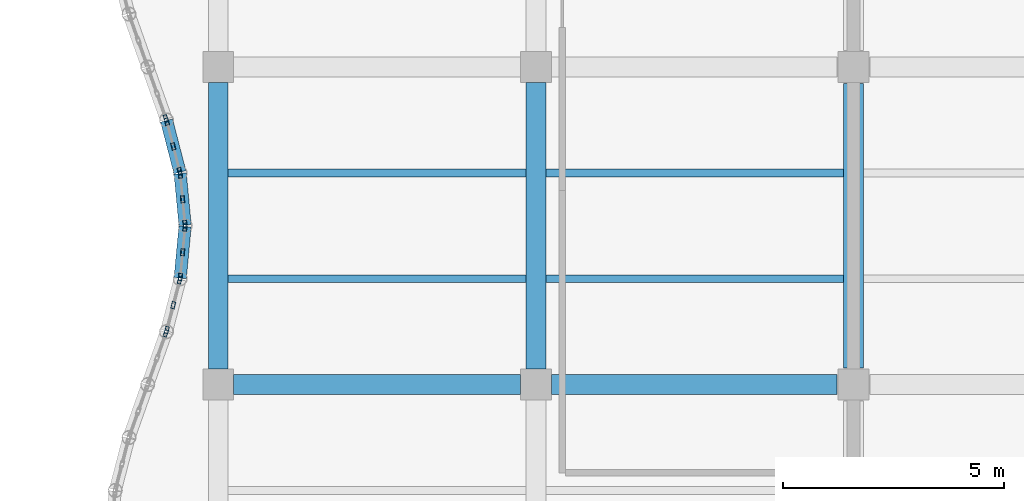
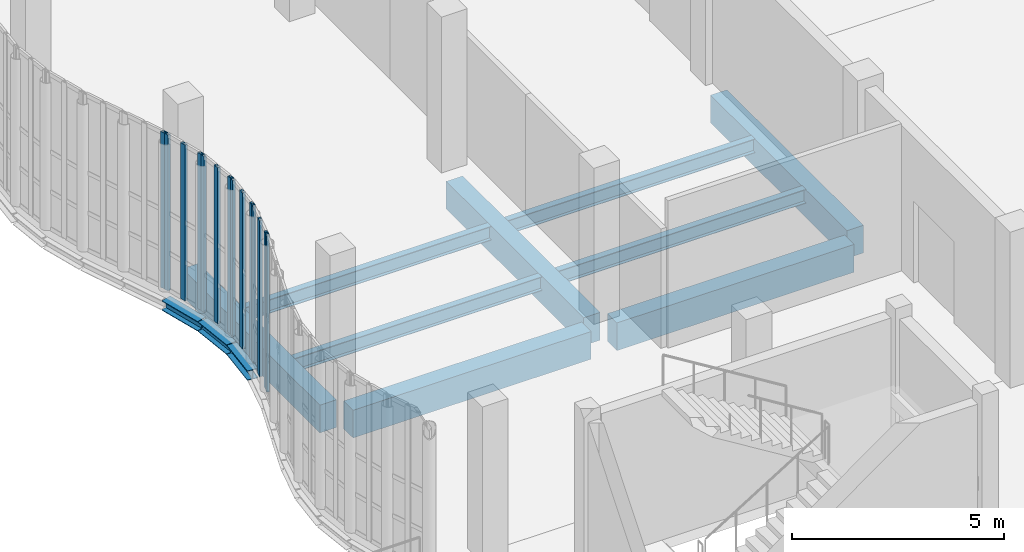
# One storey, part 41 of 108: 14 members, 12 beams, 6 elements without a shape of their own.
"""IFC4 building model written with IfcOpenShell, lengths in metres."""

import ifcopenshell
import ifcopenshell.guid

model = None  # the IFC model being written
_history = None  # IfcOwnerHistory: only IFC2X3 demands one
_inside = {}  # id of a spatial element -> (the spatial element, [elements in it])
_under = {}  # id of a project, library or spatial element -> (it, [spatial elements below it])
_declared = {}  # id of a project -> (the project, [libraries it declares])
_typed = {}  # id of a type object -> (the type object, [elements of that type])
_made_of = {}  # id of a material, layer set ... -> (it, [elements and type objects made of it])


def new_model(schema):
    """Start an empty IFC model of exactly this schema.

    Asked for "IFC4X3", IfcOpenShell would pick the latest addendum, in which some entities
    have other attributes; the version numbers below select the first issue.
    IFC2X3 requires an IfcOwnerHistory on every rooted entity: one is made here for all.
    """
    global model, _history
    if schema == "IFC4X3":
        model = ifcopenshell.file(schema_version=(4, 3, 0, 0))
    else:
        model = ifcopenshell.file(schema=schema)
    _inside.clear()
    _under.clear()
    _declared.clear()
    _typed.clear()
    _made_of.clear()
    _history = None
    if model.schema == "IFC2X3":
        org = make("IfcOrganization", Name="unknown")
        user = make(
            "IfcPersonAndOrganization",
            ThePerson=make("IfcPerson", FamilyName="unknown"),
            TheOrganization=org,
        )
        app = make(
            "IfcApplication",
            ApplicationDeveloper=org,
            Version="unknown",
            ApplicationFullName="unknown",
            ApplicationIdentifier="unknown",
        )
        _history = make(
            "IfcOwnerHistory",
            OwningUser=user,
            OwningApplication=app,
            ChangeAction="ADDED",
            CreationDate=0,
        )
    return model


def make(cls, **values):
    """One entity of the class cls with the attributes given. An attribute that is None is left unset."""
    return model.create_entity(
        cls, **{name: value for name, value in values.items() if value is not None}
    )


def rooted(cls, **values):
    """An entity with a GlobalId (a new one), such as an element, a storey or a relation."""
    return make(cls, GlobalId=ifcopenshell.guid.new(), OwnerHistory=_history, **values)


def si_unit(unit_type, name, prefix=None):
    """IfcSIUnit, for example si_unit("LENGTHUNIT", "METRE", prefix="MILLI")."""
    return make("IfcSIUnit", UnitType=unit_type, Prefix=prefix, Name=name)


def assignment(units):
    """IfcUnitAssignment: the units of a project."""
    return None if units is None else make("IfcUnitAssignment", Units=units)


def point(xyz):
    """IfcCartesianPoint."""
    return None if xyz is None else make("IfcCartesianPoint", Coordinates=xyz)


def direction(xyz):
    """IfcDirection."""
    return None if xyz is None else make("IfcDirection", DirectionRatios=xyz)


def frame(location, z_axis=None, x_axis=None):
    """IfcAxis2Placement3D, a coordinate frame: its origin and axes. An axis left out is left unset."""
    return make(
        "IfcAxis2Placement3D",
        Location=point(location),
        Axis=direction(z_axis),
        RefDirection=direction(x_axis),
    )


def frame_2d(location, x_axis=None):
    """IfcAxis2Placement2D, a coordinate frame in the plane: its origin and x axis."""
    return make(
        "IfcAxis2Placement2D", Location=point(location), RefDirection=direction(x_axis)
    )


def origin():
    """The frame at (0, 0, 0) with its axes left unset."""
    return frame((0.0, 0.0, 0.0))


def origin_2d():
    """The frame at (0, 0) in the plane with its x axis left unset."""
    return frame_2d((0.0, 0.0))


def place(relative_to, where):
    """IfcLocalPlacement: puts the frame where relative to a parent placement (None: the world)."""
    return make(
        "IfcLocalPlacement", PlacementRelTo=relative_to, RelativePlacement=where
    )


def context(
    kind, dimensions, precision=None, world=None, true_north=None, identifier=None
):
    """IfcGeometricRepresentationContext, for example the 3D "Model" context."""
    return make(
        "IfcGeometricRepresentationContext",
        ContextIdentifier=identifier,
        ContextType=kind,
        CoordinateSpaceDimension=dimensions,
        Precision=precision,
        WorldCoordinateSystem=world,
        TrueNorth=true_north,
    )


def subcontext(parent, identifier, kind, view, scale=None):
    """IfcGeometricRepresentationSubContext, for example "Body" below "Model"."""
    return make(
        "IfcGeometricRepresentationSubContext",
        ContextIdentifier=identifier,
        ContextType=kind,
        ParentContext=parent,
        TargetScale=scale,
        TargetView=view,
    )


def project(units=None, contexts=None):
    """IfcProject with its units and contexts."""
    return rooted(
        "IfcProject",
        Name="project",
        RepresentationContexts=contexts,
        UnitsInContext=assignment(units),
    )


def spatial(cls, under=None, at=None, **own):
    """A site, building, storey or space (cls), placed at a placement, below another one or the project."""
    s = rooted(cls, ObjectPlacement=at, **own)
    if under is not None:
        _under.setdefault(under.id(), (under, []))[1].append(s)
    return s


def profile(cls, at=None, kind="AREA", **sizes):
    """A parametric profile (cls). Its sizes go by their IFC names, for example OverallWidth=200.0."""
    return make(cls, ProfileType=kind, Position=at, **sizes)


def rectangle(**sizes):
    """IfcRectangleProfileDef."""
    return profile("IfcRectangleProfileDef", **sizes)


def hollow_rectangle(**sizes):
    """IfcRectangleHollowProfileDef."""
    return profile("IfcRectangleHollowProfileDef", **sizes)


def i_section(**sizes):
    """IfcIShapeProfileDef."""
    return profile("IfcIShapeProfileDef", **sizes)


def extrude(swept, where, along, depth):
    """IfcExtrudedAreaSolid: the profile swept, set in the frame where, extruded along a direction by depth."""
    return make(
        "IfcExtrudedAreaSolid",
        SweptArea=swept,
        Position=where,
        ExtrudedDirection=direction(along),
        Depth=depth,
    )


def shape(context_of_items, identifier, shape_type, items):
    """IfcShapeRepresentation: the items that make up one representation, for example the "Body"."""
    return make(
        "IfcShapeRepresentation",
        ContextOfItems=context_of_items,
        RepresentationIdentifier=identifier,
        RepresentationType=shape_type,
        Items=items,
    )


def material(Name=None, Category=None):
    """IfcMaterial."""
    return make("IfcMaterial", Name=Name, Category=Category)


def layer(
    of_material, thickness, ventilated=None, Name=None, Category=None, Priority=None
):
    """IfcMaterialLayer: one layer of a wall or slab, of a material (None: an air gap)."""
    return make(
        "IfcMaterialLayer",
        Material=of_material,
        LayerThickness=thickness,
        IsVentilated=ventilated,
        Name=Name,
        Category=Category,
        Priority=Priority,
    )


def layer_set(layers, Name=None):
    """IfcMaterialLayerSet."""
    return make("IfcMaterialLayerSet", MaterialLayers=layers, LayerSetName=Name)


def material_profile(
    of_material, cross_section, Name=None, Category=None, Priority=None
):
    """IfcMaterialProfile: a cross section and its material."""
    return make(
        "IfcMaterialProfile",
        Name=Name,
        Material=of_material,
        Profile=cross_section,
        Priority=Priority,
        Category=Category,
    )


def profile_set(profiles, Name=None, composite=None):
    """IfcMaterialProfileSet."""
    return make(
        "IfcMaterialProfileSet",
        Name=Name,
        MaterialProfiles=profiles,
        CompositeProfile=composite,
    )


def made_of(thing, what):
    """Note that an element or type object is made of a material, layer set ...; save() writes the relation."""
    if what is not None:
        _made_of.setdefault(what.id(), (what, []))[1].append(thing)
    return thing


def type_object(cls, material=None, **own):
    """A type object (cls), such as IfcWallType, which elements share."""
    return made_of(rooted(cls, **own), material)


def element(
    cls,
    number,
    at=None,
    inside=None,
    cuts=None,
    type_object=None,
    material=None,
    context=None,
    identifier="Body",
    shape_type=None,
    held_by="IfcProductDefinitionShape",
    body=None,
    shapes=None,
    **own,
):
    """One element of the class cls, such as IfcWall. Its Tag is "e" and its number.

    at: its placement. inside: the storey or other place that contains it. cuts: it is an
    opening in that element (IfcRelVoidsElement). A single representation is given by context,
    identifier, shape_type and body (its items); several are given by shapes. held_by: the class
    of the entity that holds the representations. save() writes the other relations.
    """
    e = rooted(cls, Tag="e%d" % number, ObjectPlacement=at, **own)
    if body is not None:
        shapes = [shape(context, identifier, shape_type, body)]
    if shapes is not None:
        e.Representation = make(held_by, Representations=shapes)
    if inside is not None:
        _inside.setdefault(inside.id(), (inside, []))[1].append(e)
    if cuts is not None:
        rooted(
            "IfcRelVoidsElement", RelatingBuildingElement=cuts, RelatedOpeningElement=e
        )
    if type_object is not None:
        _typed.setdefault(type_object.id(), (type_object, []))[1].append(e)
    return made_of(e, material)


def aggregate(whole, parts):
    """IfcRelAggregates: a whole, such as a stair, and the parts it consists of."""
    return rooted("IfcRelAggregates", RelatingObject=whole, RelatedObjects=parts)


def save(model, path):
    """Write the relations noted so far, then the file.

    IfcRelAggregates (storeys below a building ...), IfcRelContainedInSpatialStructure (elements
    in a storey), IfcRelDefinesByType, IfcRelAssociatesMaterial and IfcRelDeclares: one each for
    every whole, place, type object, material and project.
    """
    for whole, parts in _under.values():
        aggregate(whole, parts)
    for where, things in _inside.values():
        rooted(
            "IfcRelContainedInSpatialStructure",
            RelatedElements=things,
            RelatingStructure=where,
        )
    for kind, things in _typed.values():
        rooted("IfcRelDefinesByType", RelatedObjects=things, RelatingType=kind)
    for what, things in _made_of.values():
        rooted("IfcRelAssociatesMaterial", RelatedObjects=things, RelatingMaterial=what)
    for by, libraries in _declared.values():
        rooted("IfcRelDeclares", RelatingContext=by, RelatedDefinitions=libraries)
    model.write(path)


model = new_model("IFC4")

# Units and contexts
model_context = context("Model", 3, precision=1e-05, world=origin(), true_north=direction((0.0, 1.0)))
body_context = subcontext(model_context, "Body", "Model", "MODEL_VIEW")
ifc_project = project(units=[si_unit("LENGTHUNIT", "METRE"), si_unit("AREAUNIT", "SQUARE_METRE"), si_unit("VOLUMEUNIT", "CUBIC_METRE"), si_unit("PLANEANGLEUNIT", "RADIAN"), si_unit("MASSUNIT", "GRAM", prefix="KILO"), si_unit("THERMODYNAMICTEMPERATUREUNIT", "KELVIN"), si_unit("POWERUNIT", "WATT")], contexts=[model_context])

# Site, building, storey
site_placement = place(None, origin())
site = spatial("IfcSite", under=ifc_project, at=site_placement, CompositionType="ELEMENT")
building_placement = place(site_placement, origin())
building = spatial("IfcBuilding", under=site, at=building_placement, Name="Kaldorven Railside Theatre", CompositionType="ELEMENT")
storey_placement = place(building_placement, frame((0.0, 0.0, 5.39990234375)))
storey = spatial("IfcBuildingStorey", under=building, at=storey_placement, Name="L01", CompositionType="ELEMENT", Elevation=5.39990234375)

# Beams
ifc_material_1 = material(Name="Steel S355", Category="steel")
ifc_material_profile_1 = material_profile(ifc_material_1, i_section(OverallWidth=0.280029296875, OverallDepth=0.280029296875, WebThickness=0.010498046875, FlangeThickness=0.01806640625, at=origin_2d()), Name="HEB 280")
ifc_profile_set_1 = profile_set([ifc_material_profile_1], Name="Steel S355")
beam_type_1 = type_object("IfcBeamType", Name="BM-HEB280", PredefinedType="SPANDREL", material=ifc_profile_set_1)
beam_1_placement = place(storey_placement, frame((71.9375, 50.414794921875, -0.419921875), z_axis=(0.09448569665, 0.995526219207, 0.0), x_axis=(-0.995526219207, 0.09448569665, 0.0)))
element("IfcBeam", 1, at=beam_1_placement, inside=storey, type_object=beam_type_1, Name="L01 Sinusoidal Flute Edge Spandrel FSB-225", PredefinedType="SPANDREL", context=body_context, shape_type="SweptSolid", body=[
    extrude(i_section(OverallWidth=0.280029296875, OverallDepth=0.280029296875, WebThickness=0.010498046875, FlangeThickness=0.01806640625, at=origin_2d()), origin(), (0.0, 0.0, 1.0), 1.17578125),
])
beam_2_placement = place(storey_placement, frame((72.048583984375, 51.614990234375, -0.419921875), z_axis=(-0.094505233873, 0.99552436473, 0.0), x_axis=(-0.99552436473, -0.094505233873, 0.0)))
element("IfcBeam", 2, at=beam_2_placement, inside=storey, type_object=beam_type_1, Name="L01 Sinusoidal Flute Edge Spandrel FSB-226", PredefinedType="SPANDREL", context=body_context, shape_type="SweptSolid", body=[
    extrude(i_section(OverallWidth=0.280029296875, OverallDepth=0.280029296875, WebThickness=0.010498046875, FlangeThickness=0.01806640625, at=origin_2d()), origin(), (0.0, 0.0, 1.0), 1.175537109375),
])
beam_3_placement = place(storey_placement, frame((71.932373046875, 52.814453125, -0.419921875), z_axis=(-0.250836097156, 0.96802957205, 0.0), x_axis=(-0.96802957205, -0.250836097156, 0.0)))
element("IfcBeam", 3, at=beam_3_placement, inside=storey, type_object=beam_type_1, Name="L01 Sinusoidal Flute Edge Spandrel FSB-227", PredefinedType="SPANDREL", context=body_context, shape_type="SweptSolid", body=[
    extrude(i_section(OverallWidth=0.280029296875, OverallDepth=0.280029296875, WebThickness=0.010498046875, FlangeThickness=0.01806640625, at=origin_2d()), origin(), (0.0, 0.0, 1.0), 1.209716796875),
])
ifc_material_profile_2 = material_profile(ifc_material_1, i_section(OverallWidth=0.179931640625, OverallDepth=0.39990234375, WebThickness=0.008544921875, FlangeThickness=0.013427734375, at=origin_2d()), Name="IPE 400")
ifc_profile_set_2 = profile_set([ifc_material_profile_2], Name="Steel S355")
beam_type_2 = type_object("IfcBeamType", Name="BM-IPE400", PredefinedType="JOIST", material=ifc_profile_set_2)
for number, where, z_axis, x_axis, name in (
    (4, (73.02490234375, 50.39990234375, -0.47998046875), (1.0, 0.0, 0.0), (0.0, 1.0, 0.0), "L01 Secondary Floor Joist JG-L01-072-0504"),
    (5, (73.02490234375, 52.800048828125, -0.47998046875), (1.0, 0.0, 0.0), (0.0, 1.0, 0.0), "L01 Secondary Floor Joist JG-L01-072-0528"),
    (6, (80.22509765625, 50.39990234375, -0.47998046875), (1.0, 0.0, 0.0), (0.0, 1.0, 0.0), "L01 Secondary Floor Joist JG-L01-080-0504"),
    (7, (80.22509765625, 52.800048828125, -0.47998046875), (1.0, 0.0, 0.0), (0.0, 1.0, 0.0), "L01 Secondary Floor Joist JG-L01-080-0528"),
):
    element("IfcBeam", number, at=place(storey_placement, frame(where, z_axis=z_axis, x_axis=x_axis)), inside=storey, type_object=beam_type_2, Name=name, PredefinedType="JOIST", context=body_context, shape_type="SweptSolid", body=[
        extrude(i_section(OverallWidth=0.179931640625, OverallDepth=0.39990234375, WebThickness=0.008544921875, FlangeThickness=0.013427734375, at=origin_2d()), origin(), (0.0, 0.0, 1.0), 6.75),
    ])
ifc_material_2 = material(Name="Concrete C40/50", Category="concrete")
ifc_material_profile_3 = material_profile(ifc_material_2, rectangle(XDim=0.449951171875, YDim=0.800048828125, at=origin_2d()), Name="RC 450x800")
ifc_profile_set_3 = profile_set([ifc_material_profile_3], Name="Concrete C40/50")
beam_type_3 = type_object("IfcBeamType", Name="BM-RC450x800", PredefinedType="BEAM", material=ifc_profile_set_3)
for number, where, z_axis, x_axis, name in (
    (8, (73.14990234375, 48.0, -0.679931640625), (1.0, 0.0, 0.0), (0.0, 1.0, 0.0), "L01 Girder BGX-L01-072-048"),
    (9, (72.800048828125, 48.35009765625, -0.679931640625), (0.0, 1.0, 0.0), (-1.0, 0.0, 0.0), "L01 Girder BGY-L01-072-048-72"),
):
    element("IfcBeam", number, at=place(storey_placement, frame(where, z_axis=z_axis, x_axis=x_axis)), inside=storey, type_object=beam_type_3, Name=name, PredefinedType="BEAM", context=body_context, shape_type="SweptSolid", body=[
        extrude(rectangle(XDim=0.449951171875, YDim=0.800048828125, at=origin_2d()), origin(), (0.0, 0.0, 1.0), 6.5),
    ])
beam_4_placement = place(storey_placement, frame((80.35009765625, 48.0, -0.679931640625), z_axis=(1.0, 0.0, 0.0), x_axis=(0.0, 1.0, 0.0)))
element("IfcBeam", 10, at=beam_4_placement, inside=storey, type_object=beam_type_3, Name="L01 Girder BGX-L01-080-048", PredefinedType="BEAM", context=body_context, shape_type="SweptSolid", body=[
    extrude(rectangle(XDim=0.449951171875, YDim=0.800048828125, at=origin_2d()), origin(), (0.0, 0.0, 1.0), 6.474853515625),
])
beam_5_placement = place(storey_placement, frame((80.0, 48.35009765625, -0.679931640625), z_axis=(0.0, 1.0, 0.0), x_axis=(-1.0, 0.0, 0.0)))
element("IfcBeam", 11, at=beam_5_placement, inside=storey, type_object=beam_type_3, Name="L01 Girder BGY-L01-080-048-72", PredefinedType="BEAM", context=body_context, shape_type="SweptSolid", body=[
    extrude(rectangle(XDim=0.449951171875, YDim=0.800048828125, at=origin_2d()), origin(), (0.0, 0.0, 1.0), 6.5),
])
beam_6_placement = place(storey_placement, frame((87.199951171875, 48.375, -0.699951171875), z_axis=(0.0, 1.0, 0.0), x_axis=(-1.0, 0.0, 0.0)))
element("IfcBeam", 12, at=beam_6_placement, inside=storey, type_object=beam_type_3, Name="L01 Girder BGY-L01-087-048-72", PredefinedType="BEAM", context=body_context, shape_type="SweptSolid", body=[
    extrude(rectangle(XDim=0.449951171875, YDim=0.800048828125, at=origin_2d()), origin(), (0.0, 0.0, 1.0), 6.449951171875),
])

# Curtain wall, member
ifc_material_3 = material(Name="Low-E laminated solar-control glass", Category="glass")
ifc_layer_1 = layer(ifc_material_3, 0.159912109375, Name="Low-E laminated solar-control glass")
ifc_layer_set_1 = layer_set([ifc_layer_1], Name="Low-E laminated solar-control glass")
curtain_wall_type_1 = type_object("IfcCurtainWallType", Name="CWT-01", PredefinedType="USERDEFINED", material=ifc_layer_set_1)
curtain_wall_1_placement = place(storey_placement, origin())
curtain_wall_1 = element("IfcCurtainWall", 13, at=curtain_wall_1_placement, inside=storey, type_object=curtain_wall_type_1, Name="Sinusoidal Fluted Curtain Wall CW-L01-W07", ObjectType="FLUTED GLAZING", PredefinedType="USERDEFINED")
ifc_material_4 = material(Name="Anodised bronze aluminium", Category="aluminium")
ifc_material_profile_4 = material_profile(ifc_material_4, hollow_rectangle(XDim=0.080078125, YDim=0.159912109375, WallThickness=0.00634765625, at=origin_2d()), Name="RHS 160x80x6.3")
ifc_profile_set_4 = profile_set([ifc_material_profile_4], Name="Anodised bronze aluminium")
member_type = type_object("IfcMemberType", Name="CWM-160", PredefinedType="MULLION", material=ifc_profile_set_4)
member_1_placement = place(storey_placement, frame((71.611572265625, 49.162353515625, 0.0), z_axis=(0.0, 0.0, 1.0), x_axis=(-0.942627225159, 0.33384714225, 0.0)))
member_1 = element("IfcMember", 14, at=member_1_placement, type_object=member_type, Name="CW-L01-W07 mullion 3", PredefinedType="MULLION", context=body_context, shape_type="SweptSolid", body=[
    extrude(hollow_rectangle(XDim=0.080078125, YDim=0.159912109375, WallThickness=0.00634765625, at=origin_2d()), origin(), (0.0, 0.0, 1.0), 4.5),
])
aggregate(curtain_wall_1, [member_1])

# Curtain wall, members
ifc_layer_2 = layer(ifc_material_3, 0.159912109375, Name="Low-E laminated solar-control glass")
ifc_layer_set_2 = layer_set([ifc_layer_2], Name="Low-E laminated solar-control glass")
curtain_wall_type_2 = type_object("IfcCurtainWallType", Name="CWT-02", PredefinedType="USERDEFINED", material=ifc_layer_set_2)
curtain_wall_2_placement = place(storey_placement, origin())
curtain_wall_2 = element("IfcCurtainWall", 15, at=curtain_wall_2_placement, inside=storey, type_object=curtain_wall_type_2, Name="Sinusoidal Fluted Curtain Wall CW-L01-W08", ObjectType="FLUTED GLAZING", PredefinedType="USERDEFINED")
member_2_placement = place(storey_placement, frame((71.635009765625, 49.23876953125, 0.0), z_axis=(0.0, 0.0, 1.0), x_axis=(-0.967999075505, 0.250953760326, 0.0)))
member_2 = element("IfcMember", 16, at=member_2_placement, type_object=member_type, Name="CW-L01-W08 mullion 1", PredefinedType="MULLION", context=body_context, shape_type="SweptSolid", body=[
    extrude(hollow_rectangle(XDim=0.080078125, YDim=0.159912109375, WallThickness=0.00634765625, at=origin_2d()), origin(), (0.0, 0.0, 1.0), 4.5),
])
member_3_placement = place(storey_placement, frame((71.780517578125, 49.800048828125, 0.0), z_axis=(0.0, 0.0, 1.0), x_axis=(-0.967999075505, 0.250953760326, 0.0)))
member_3 = element("IfcMember", 17, at=member_3_placement, type_object=member_type, Name="CW-L01-W08 mullion 2", PredefinedType="MULLION", context=body_context, shape_type="SweptSolid", body=[
    extrude(hollow_rectangle(XDim=0.080078125, YDim=0.159912109375, WallThickness=0.00634765625, at=origin_2d()), origin(), (0.0, 0.0, 1.0), 4.5),
])
member_4_placement = place(storey_placement, frame((71.926025390625, 50.361328125, 0.0), z_axis=(0.0, 0.0, 1.0), x_axis=(-0.967999075505, 0.250953760326, 0.0)))
member_4 = element("IfcMember", 18, at=member_4_placement, type_object=member_type, Name="CW-L01-W08 mullion 3", PredefinedType="MULLION", context=body_context, shape_type="SweptSolid", body=[
    extrude(hollow_rectangle(XDim=0.080078125, YDim=0.159912109375, WallThickness=0.00634765625, at=origin_2d()), origin(), (0.0, 0.0, 1.0), 4.5),
])
aggregate(curtain_wall_2, [member_2, member_3, member_4])

ifc_layer_3 = layer(ifc_material_3, 0.159912109375, Name="Low-E laminated solar-control glass")
ifc_layer_set_3 = layer_set([ifc_layer_3], Name="Low-E laminated solar-control glass")
curtain_wall_type_3 = type_object("IfcCurtainWallType", Name="CWT-03", PredefinedType="USERDEFINED", material=ifc_layer_set_3)
curtain_wall_3_placement = place(storey_placement, origin())
curtain_wall_3 = element("IfcCurtainWall", 19, at=curtain_wall_3_placement, inside=storey, type_object=curtain_wall_type_3, Name="Sinusoidal Fluted Curtain Wall CW-L01-W09", ObjectType="FLUTED GLAZING", PredefinedType="USERDEFINED")
member_5_placement = place(storey_placement, frame((71.93994140625, 50.43994140625, 0.0), z_axis=(0.0, 0.0, 1.0), x_axis=(-0.995525623425, 0.094491973758, 0.0)))
member_5 = element("IfcMember", 20, at=member_5_placement, type_object=member_type, Name="CW-L01-W09 mullion 1", PredefinedType="MULLION", context=body_context, shape_type="SweptSolid", body=[
    extrude(hollow_rectangle(XDim=0.080078125, YDim=0.159912109375, WallThickness=0.00634765625, at=origin_2d()), origin(), (0.0, 0.0, 1.0), 4.5),
])
member_6_placement = place(storey_placement, frame((71.9931640625, 51.0, 0.0), z_axis=(0.0, 0.0, 1.0), x_axis=(-0.995525623425, 0.094491973758, 0.0)))
member_6 = element("IfcMember", 21, at=member_6_placement, type_object=member_type, Name="CW-L01-W09 mullion 2", PredefinedType="MULLION", context=body_context, shape_type="SweptSolid", body=[
    extrude(hollow_rectangle(XDim=0.080078125, YDim=0.159912109375, WallThickness=0.00634765625, at=origin_2d()), origin(), (0.0, 0.0, 1.0), 4.5),
])
member_7_placement = place(storey_placement, frame((72.046142578125, 51.56005859375, 0.0), z_axis=(0.0, 0.0, 1.0), x_axis=(-0.995525623425, 0.094491973758, 0.0)))
member_7 = element("IfcMember", 22, at=member_7_placement, type_object=member_type, Name="CW-L01-W09 mullion 3", PredefinedType="MULLION", context=body_context, shape_type="SweptSolid", body=[
    extrude(hollow_rectangle(XDim=0.080078125, YDim=0.159912109375, WallThickness=0.00634765625, at=origin_2d()), origin(), (0.0, 0.0, 1.0), 4.5),
])
aggregate(curtain_wall_3, [member_5, member_6, member_7])

curtain_wall_4_placement = place(storey_placement, origin())
curtain_wall_4 = element("IfcCurtainWall", 23, at=curtain_wall_4_placement, inside=storey, type_object=curtain_wall_type_3, Name="Sinusoidal Fluted Curtain Wall CW-L01-W10", ObjectType="FLUTED GLAZING", PredefinedType="USERDEFINED")
member_8_placement = place(storey_placement, frame((72.046142578125, 51.639892578125, 0.0), z_axis=(0.0, 0.0, 1.0), x_axis=(-0.995525623425, -0.094491973758, 0.0)))
member_8 = element("IfcMember", 24, at=member_8_placement, type_object=member_type, Name="CW-L01-W10 mullion 1", PredefinedType="MULLION", context=body_context, shape_type="SweptSolid", body=[
    extrude(hollow_rectangle(XDim=0.080078125, YDim=0.159912109375, WallThickness=0.00634765625, at=origin_2d()), origin(), (0.0, 0.0, 1.0), 4.5),
])
member_9_placement = place(storey_placement, frame((71.9931640625, 52.199951171875, 0.0), z_axis=(0.0, 0.0, 1.0), x_axis=(-0.995525623425, -0.094491973758, 0.0)))
member_9 = element("IfcMember", 25, at=member_9_placement, type_object=member_type, Name="CW-L01-W10 mullion 2", PredefinedType="MULLION", context=body_context, shape_type="SweptSolid", body=[
    extrude(hollow_rectangle(XDim=0.080078125, YDim=0.159912109375, WallThickness=0.00634765625, at=origin_2d()), origin(), (0.0, 0.0, 1.0), 4.5),
])
member_10_placement = place(storey_placement, frame((71.93994140625, 52.76025390625, 0.0), z_axis=(0.0, 0.0, 1.0), x_axis=(-0.995525623425, -0.094491973758, 0.0)))
member_10 = element("IfcMember", 26, at=member_10_placement, type_object=member_type, Name="CW-L01-W10 mullion 3", PredefinedType="MULLION", context=body_context, shape_type="SweptSolid", body=[
    extrude(hollow_rectangle(XDim=0.080078125, YDim=0.159912109375, WallThickness=0.00634765625, at=origin_2d()), origin(), (0.0, 0.0, 1.0), 4.5),
])
aggregate(curtain_wall_4, [member_8, member_9, member_10])

curtain_wall_5_placement = place(storey_placement, origin())
curtain_wall_5 = element("IfcCurtainWall", 27, at=curtain_wall_5_placement, inside=storey, type_object=curtain_wall_type_2, Name="Sinusoidal Fluted Curtain Wall CW-L01-W11", ObjectType="FLUTED GLAZING", PredefinedType="USERDEFINED")
member_11_placement = place(storey_placement, frame((71.926025390625, 52.838623046875, 0.0), z_axis=(0.0, 0.0, 1.0), x_axis=(-0.967999075505, -0.250953760326, 0.0)))
member_11 = element("IfcMember", 28, at=member_11_placement, type_object=member_type, Name="CW-L01-W11 mullion 1", PredefinedType="MULLION", context=body_context, shape_type="SweptSolid", body=[
    extrude(hollow_rectangle(XDim=0.080078125, YDim=0.159912109375, WallThickness=0.00634765625, at=origin_2d()), origin(), (0.0, 0.0, 1.0), 4.5),
])
member_12_placement = place(storey_placement, frame((71.780517578125, 53.39990234375, 0.0), z_axis=(0.0, 0.0, 1.0), x_axis=(-0.967999075505, -0.250953760326, 0.0)))
member_12 = element("IfcMember", 29, at=member_12_placement, type_object=member_type, Name="CW-L01-W11 mullion 2", PredefinedType="MULLION", context=body_context, shape_type="SweptSolid", body=[
    extrude(hollow_rectangle(XDim=0.080078125, YDim=0.159912109375, WallThickness=0.00634765625, at=origin_2d()), origin(), (0.0, 0.0, 1.0), 4.5),
])
member_13_placement = place(storey_placement, frame((71.635009765625, 53.961181640625, 0.0), z_axis=(0.0, 0.0, 1.0), x_axis=(-0.967999075505, -0.250953760326, 0.0)))
member_13 = element("IfcMember", 30, at=member_13_placement, type_object=member_type, Name="CW-L01-W11 mullion 3", PredefinedType="MULLION", context=body_context, shape_type="SweptSolid", body=[
    extrude(hollow_rectangle(XDim=0.080078125, YDim=0.159912109375, WallThickness=0.00634765625, at=origin_2d()), origin(), (0.0, 0.0, 1.0), 4.5),
])
aggregate(curtain_wall_5, [member_11, member_12, member_13])

# Curtain wall, member
curtain_wall_6_placement = place(storey_placement, origin())
curtain_wall_6 = element("IfcCurtainWall", 31, at=curtain_wall_6_placement, inside=storey, type_object=curtain_wall_type_1, Name="Sinusoidal Fluted Curtain Wall CW-L01-W12", ObjectType="FLUTED GLAZING", PredefinedType="USERDEFINED")
member_14_placement = place(storey_placement, frame((71.611572265625, 54.03759765625, 0.0), z_axis=(0.0, 0.0, 1.0), x_axis=(-0.942627225159, -0.33384714225, 0.0)))
member_14 = element("IfcMember", 32, at=member_14_placement, type_object=member_type, Name="CW-L01-W12 mullion 1", PredefinedType="MULLION", context=body_context, shape_type="SweptSolid", body=[
    extrude(hollow_rectangle(XDim=0.080078125, YDim=0.159912109375, WallThickness=0.00634765625, at=origin_2d()), origin(), (0.0, 0.0, 1.0), 4.5),
])
aggregate(curtain_wall_6, [member_14])

save(model, "model.ifc")
